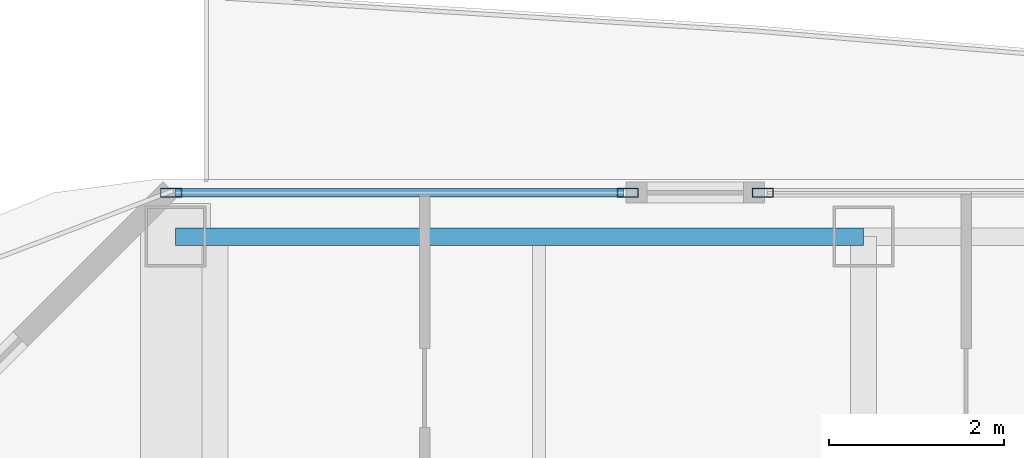
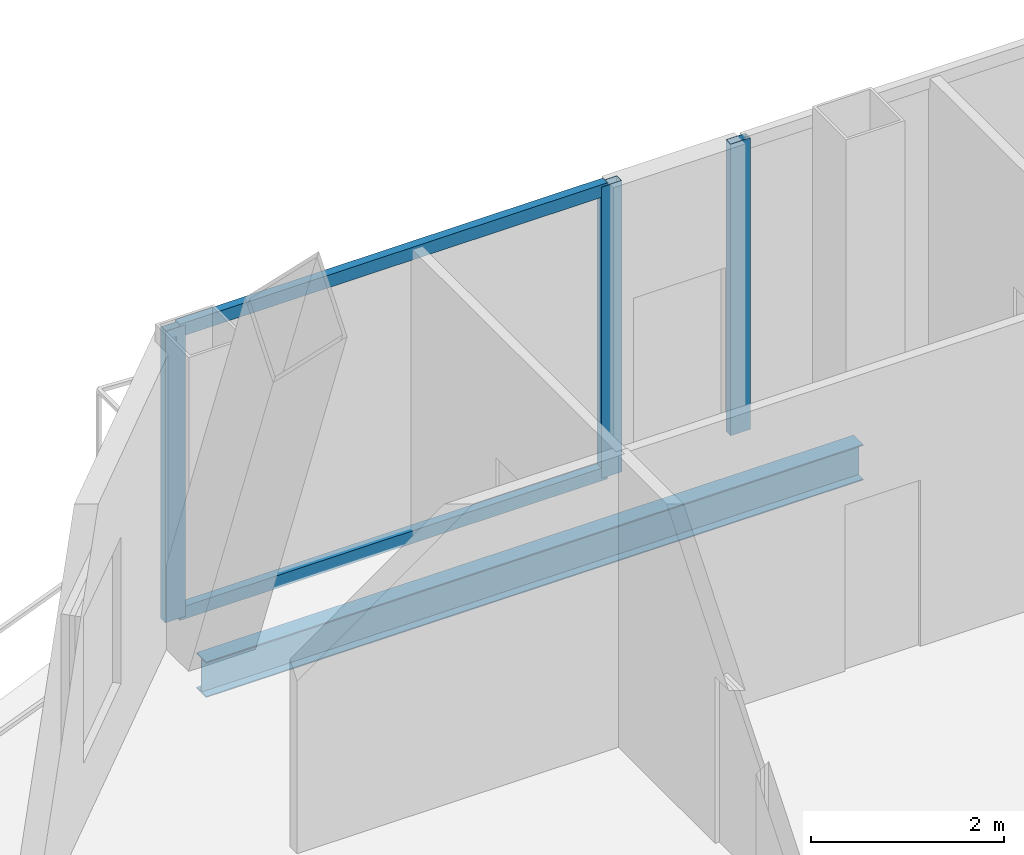
# One storey, part 16 of 28: 5 members, 1 beam, 2 elements without a shape of their own.
"""IFC4 building model written with IfcOpenShell, lengths in metres."""

from ifc_helpers import new_model, si_unit, direction, frame, origin, origin_2d, place, context, subcontext, project, spatial, hollow_rectangle, i_section, extrude, material, layer, layer_set, material_profile, profile_set, type_object, element, aggregate, save


model = new_model("IFC4")

# Units and contexts
model_context = context("Model", 3, precision=1e-05, world=origin(), true_north=direction((0.0, 1.0)))
body_context = subcontext(model_context, "Body", "Model", "MODEL_VIEW")
ifc_project = project(units=[si_unit("LENGTHUNIT", "METRE"), si_unit("AREAUNIT", "SQUARE_METRE"), si_unit("VOLUMEUNIT", "CUBIC_METRE"), si_unit("PLANEANGLEUNIT", "RADIAN"), si_unit("MASSUNIT", "GRAM", prefix="KILO")], contexts=[model_context])

# Site, building, storey
site_placement = place(None, origin())
site = spatial("IfcSite", under=ifc_project, at=site_placement, CompositionType="ELEMENT")
building_placement = place(site_placement, origin())
building = spatial("IfcBuilding", under=site, at=building_placement, Name="Khorvyn Point Tower", CompositionType="ELEMENT")
storey_placement = place(building_placement, frame((0.0, 0.0, 121.199951171875)))
storey = spatial("IfcBuildingStorey", under=building, at=storey_placement, Name="L30", CompositionType="ELEMENT", Elevation=121.199951171875)

# Curtain wall, members
ifc_material_1 = material(Name="Anodised aluminium 6063-T6 and laminated Low-E glass", Category="aluminium")
ifc_layer = layer(ifc_material_1, 0.18994140625)
ifc_layer_set = layer_set([ifc_layer], Name="Stick-Built Acoustic Curtain Wall CW-SYS-03")
curtain_wall_type = type_object("IfcCurtainWallType", Name="Stick-Built Acoustic Curtain Wall CW-SYS-03", PredefinedType="NOTDEFINED", material=ifc_layer_set)
curtain_wall_1_placement = place(storey_placement, origin())
curtain_wall_1 = element("IfcCurtainWall", 1, at=curtain_wall_1_placement, inside=storey, type_object=curtain_wall_type, Name="Curtain Wall", PredefinedType="NOTDEFINED")
ifc_material_2 = material(Name="Anodised aluminium 6063-T6", Category="aluminium")
ifc_material_profile_1 = material_profile(ifc_material_2, hollow_rectangle(XDim=0.10009765625, YDim=0.239990234375, WallThickness=0.0048828125, at=origin_2d()))
ifc_profile_set_1 = profile_set([ifc_material_profile_1], Name="Anodised aluminium 6063-T6 ALU-MUL-100x240")
member_type_1 = type_object("IfcMemberType", Name="Anodised Aluminium 6063-T6 Mullion ALU-MUL-100x240", PredefinedType="MULLION", material=ifc_profile_set_1)
member_1_placement = place(storey_placement, frame((-15.300048828125, 29.449951171875, 0.0), z_axis=(0.0, 0.0, 1.0), x_axis=(0.0, 1.0, 0.0)))
member_1 = element("IfcMember", 2, at=member_1_placement, type_object=member_type_1, Name="Transom", PredefinedType="MULLION", context=body_context, shape_type="SweptSolid", body=[
    extrude(hollow_rectangle(XDim=0.10009765625, YDim=0.239990234375, WallThickness=0.0048828125, at=origin_2d()), origin(), (0.0, 0.0, 1.0), 3.679931640625),
])
member_2_placement = place(storey_placement, frame((-10.089111328125, 29.449951171875, 0.0), z_axis=(0.0, 0.0, 1.0), x_axis=(0.0, 1.0, 0.0)))
member_2 = element("IfcMember", 3, at=member_2_placement, type_object=member_type_1, Name="Transom", PredefinedType="MULLION", context=body_context, shape_type="SweptSolid", body=[
    extrude(hollow_rectangle(XDim=0.10009765625, YDim=0.239990234375, WallThickness=0.0048828125, at=origin_2d()), origin(), (0.0, 0.0, 1.0), 3.679931640625),
])

# Curtain wall, member
curtain_wall_2_placement = place(storey_placement, origin())
curtain_wall_2 = element("IfcCurtainWall", 4, at=curtain_wall_2_placement, inside=storey, type_object=curtain_wall_type, Name="Curtain Wall", PredefinedType="NOTDEFINED")
member_3_placement = place(storey_placement, frame((-8.549072265625, 29.449951171875, 0.0), z_axis=(0.0, 0.0, 1.0), x_axis=(0.0, 1.0, 0.0)))
member_3 = element("IfcMember", 5, at=member_3_placement, type_object=member_type_1, Name="Transom", PredefinedType="MULLION", context=body_context, shape_type="SweptSolid", body=[
    extrude(hollow_rectangle(XDim=0.10009765625, YDim=0.239990234375, WallThickness=0.0048828125, at=origin_2d()), origin(), (0.0, 0.0, 1.0), 3.679931640625),
])
aggregate(curtain_wall_2, [member_3])

# Member
ifc_material_profile_2 = material_profile(ifc_material_2, hollow_rectangle(XDim=0.10009765625, YDim=0.159912109375, WallThickness=0.00439453125, at=origin_2d()))
ifc_profile_set_2 = profile_set([ifc_material_profile_2], Name="Anodised aluminium 6063-T6 ALU-TRN-100x160")
member_type_2 = type_object("IfcMemberType", Name="Anodised Aluminium 6063-T6 Transom ALU-TRN-100x160", PredefinedType="USERDEFINED", material=ifc_profile_set_2)
member_4_placement = place(storey_placement, frame((-15.25, 29.449951171875, 0.050048828125), z_axis=(1.0, 0.0, 0.0), x_axis=(0.0, 1.0, 0.0)))
member_4 = element("IfcMember", 6, at=member_4_placement, type_object=member_type_2, Name="Transom", ObjectType="TRANSOM", PredefinedType="USERDEFINED", context=body_context, shape_type="SweptSolid", body=[
    extrude(hollow_rectangle(XDim=0.10009765625, YDim=0.159912109375, WallThickness=0.00439453125, at=origin_2d()), origin(), (0.0, 0.0, 1.0), 5.111083984375),
])

member_5_placement = place(storey_placement, frame((-15.25, 29.449951171875, 3.630126953125), z_axis=(1.0, 0.0, 0.0), x_axis=(0.0, 1.0, 0.0)))
member_5 = element("IfcMember", 7, at=member_5_placement, type_object=member_type_2, Name="Transom", ObjectType="TRANSOM", PredefinedType="USERDEFINED", context=body_context, shape_type="SweptSolid", body=[
    extrude(hollow_rectangle(XDim=0.10009765625, YDim=0.159912109375, WallThickness=0.00439453125, at=origin_2d()), origin(), (0.0, 0.0, 1.0), 5.111083984375),
])

aggregate(curtain_wall_1, [member_1, member_2, member_4, member_5])

# Beam
ifc_material_3 = material(Name="Steel S355", Category="steel")
ifc_material_profile_3 = material_profile(ifc_material_3, i_section(OverallWidth=0.199951171875, OverallDepth=0.449951171875, WebThickness=0.009033203125, FlangeThickness=0.013916015625, at=origin_2d()))
ifc_profile_set_3 = profile_set([ifc_material_profile_3], Name="Steel S355 H450x200x9x14")
beam_type = type_object("IfcBeamType", Name="Steel S355 Spandrel H450x200x9x14", PredefinedType="SPANDREL", material=ifc_profile_set_3)
beam_placement = place(storey_placement, frame((-15.25, 28.949951171875, -0.445068359375), z_axis=(1.0, 0.0, 0.0), x_axis=(0.0, 1.0, 0.0)))
element("IfcBeam", 8, at=beam_placement, inside=storey, type_object=beam_type, Name="Beam", PredefinedType="SPANDREL", context=body_context, shape_type="SweptSolid", body=[
    extrude(i_section(OverallWidth=0.199951171875, OverallDepth=0.449951171875, WebThickness=0.009033203125, FlangeThickness=0.013916015625, at=origin_2d()), origin(), (0.0, 0.0, 1.0), 7.85009765625),
])

save(model, "model.ifc")
